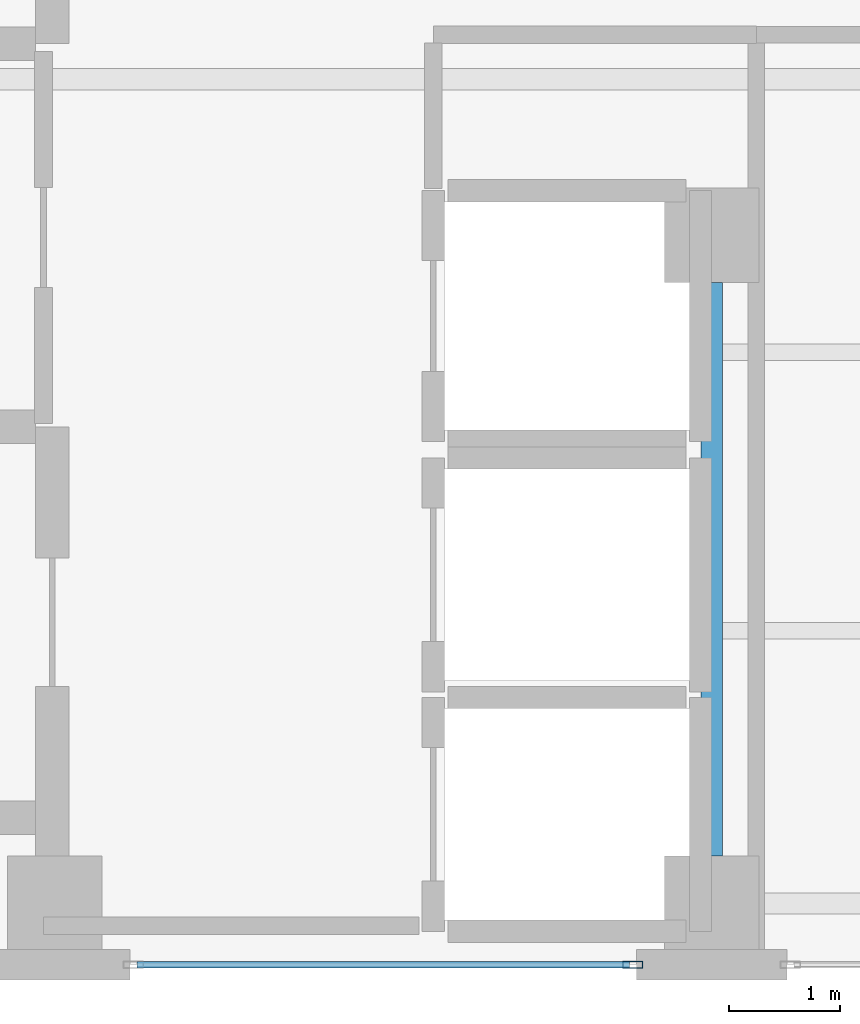
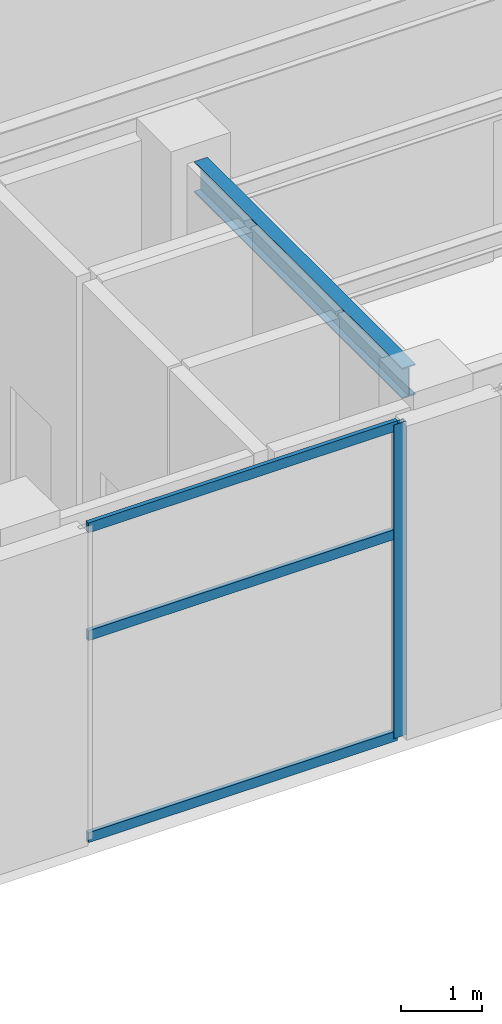
# One storey, part 3 of 18: 4 members, 1 beam, 1 element without a shape of its own.
"""IFC4 building model written with IfcOpenShell, lengths in metres."""

from ifc_helpers import new_model, si_unit, direction, frame, origin, origin_2d, place, context, subcontext, project, spatial, hollow_rectangle, i_section, extrude, material, layer, layer_set, material_profile, profile_set, type_object, element, aggregate, save


model = new_model("IFC4")

# Units and contexts
model_context = context("Model", 3, precision=1e-05, world=origin(), true_north=direction((0.0, 1.0)))
body_context = subcontext(model_context, "Body", "Model", "MODEL_VIEW")
ifc_project = project(units=[si_unit("LENGTHUNIT", "METRE"), si_unit("AREAUNIT", "SQUARE_METRE"), si_unit("VOLUMEUNIT", "CUBIC_METRE"), si_unit("PLANEANGLEUNIT", "RADIAN"), si_unit("MASSUNIT", "GRAM", prefix="KILO")], contexts=[model_context])

# Site, building, storey
site_placement = place(None, origin())
site = spatial("IfcSite", under=ifc_project, at=site_placement, CompositionType="ELEMENT")
building_placement = place(site_placement, origin())
building = spatial("IfcBuilding", under=site, at=building_placement, Name="Mawjaban Terraces University", CompositionType="ELEMENT")
storey_placement = place(building_placement, frame((0.0, 0.0, 316.699951171875)))
storey = spatial("IfcBuildingStorey", under=building, at=storey_placement, Name="L77", CompositionType="ELEMENT", Elevation=316.699951171875)

# Beam
ifc_material_1 = material(Name="Steel ASTM A572 Grade 50", Category="steel")
ifc_material_profile_1 = material_profile(ifc_material_1, i_section(OverallWidth=0.19189453125, OverallDepth=0.462890625, WebThickness=0.010498046875, FlangeThickness=0.017578125, at=origin_2d()), Name="W460X89")
ifc_profile_set_1 = profile_set([ifc_material_profile_1], Name="Steel ASTM A572 Grade 50")
beam_type = type_object("IfcBeamType", Name="Beam_B_W460X89", PredefinedType="BEAM", material=ifc_profile_set_1)
beam_placement = place(storey_placement, frame((37.64990234375, 0.97509765625, 4.509033203125), z_axis=(0.0, 1.0, 0.0), x_axis=(-1.0, 0.0, 0.0)))
element("IfcBeam", 1, at=beam_placement, inside=storey, type_object=beam_type, Name="L77 Beam BM-L77-NS-01", PredefinedType="BEAM", context=body_context, shape_type="SweptSolid", body=[
    extrude(i_section(OverallWidth=0.19189453125, OverallDepth=0.462890625, WebThickness=0.010498046875, FlangeThickness=0.017578125, at=origin_2d()), origin(), (0.0, 0.0, 1.0), 5.14990234375),
])

# Curtain wall, members
ifc_material_2 = material(Name="Anodised aluminium 6063-T6 and solar-control low-E glass", Category="aluminium")
ifc_layer = layer(ifc_material_2, 0.199951171875)
ifc_layer_set = layer_set([ifc_layer], Name="Anodised aluminium 6063-T6 and solar-control low-E glass")
curtain_wall_type = type_object("IfcCurtainWallType", Name="CWSystem_06_ObservationCrown", PredefinedType="NOTDEFINED", material=ifc_layer_set)
curtain_wall_placement = place(storey_placement, origin())
curtain_wall = element("IfcCurtainWall", 2, at=curtain_wall_placement, inside=storey, type_object=curtain_wall_type, Name="L77 Curtain Wall CW-06 Run 1.2", PredefinedType="NOTDEFINED")
ifc_material_3 = material(Name="Anodised aluminium 6063-T6", Category="aluminium")
ifc_material_profile_2 = material_profile(ifc_material_3, hollow_rectangle(XDim=0.06494140625, YDim=0.179931640625, WallThickness=0.00390625, at=origin_2d()), Name="ALU180X65X4")
ifc_profile_set_2 = profile_set([ifc_material_profile_2], Name="Anodised aluminium 6063-T6")
member_type_1 = type_object("IfcMemberType", Name="Mullion_CW-06", PredefinedType="MULLION", material=ifc_profile_set_2)
member_1_placement = place(storey_placement, frame((36.9423828125, 0.0, 0.0), z_axis=(0.0, 0.0, 1.0), x_axis=(0.0, 1.0, 0.0)))
member_1 = element("IfcMember", 3, at=member_1_placement, type_object=member_type_1, Name="CW-06 mullion 2", PredefinedType="MULLION", context=body_context, shape_type="SweptSolid", body=[
    extrude(hollow_rectangle(XDim=0.06494140625, YDim=0.179931640625, WallThickness=0.00390625, at=origin_2d()), origin(), (0.0, 0.0, 1.0), 4.739990234375),
])
ifc_material_profile_3 = material_profile(ifc_material_3, hollow_rectangle(XDim=0.06005859375, YDim=0.14990234375, WallThickness=0.00390625, at=origin_2d()), Name="ALU150X60X4")
ifc_profile_set_3 = profile_set([ifc_material_profile_3], Name="Anodised aluminium 6063-T6")
member_type_2 = type_object("IfcMemberType", Name="Transom_CW-06", PredefinedType="NOTDEFINED", material=ifc_profile_set_3)
member_2_placement = place(storey_placement, frame((32.489990234375, 0.0, 0.030029296875), z_axis=(1.0, 0.0, 0.0), x_axis=(0.0, 1.0, 0.0)))
member_2 = element("IfcMember", 4, at=member_2_placement, type_object=member_type_2, Name="CW-06 transom 1.1", ObjectType="TRANSOM", PredefinedType="USERDEFINED", context=body_context, shape_type="SweptSolid", body=[
    extrude(hollow_rectangle(XDim=0.06005859375, YDim=0.14990234375, WallThickness=0.00390625, at=origin_2d()), origin(), (0.0, 0.0, 1.0), 4.419921875),
])
member_3_placement = place(storey_placement, frame((32.489990234375, 0.0, 3.0810546875), z_axis=(1.0, 0.0, 0.0), x_axis=(0.0, 1.0, 0.0)))
member_3 = element("IfcMember", 5, at=member_3_placement, type_object=member_type_2, Name="CW-06 transom 1.2", ObjectType="TRANSOM", PredefinedType="USERDEFINED", context=body_context, shape_type="SweptSolid", body=[
    extrude(hollow_rectangle(XDim=0.06005859375, YDim=0.14990234375, WallThickness=0.00390625, at=origin_2d()), origin(), (0.0, 0.0, 1.0), 4.419921875),
])
member_4_placement = place(storey_placement, frame((32.489990234375, 0.0, 4.7099609375), z_axis=(1.0, 0.0, 0.0), x_axis=(0.0, 1.0, 0.0)))
member_4 = element("IfcMember", 6, at=member_4_placement, type_object=member_type_2, Name="CW-06 transom 1.3", ObjectType="TRANSOM", PredefinedType="USERDEFINED", context=body_context, shape_type="SweptSolid", body=[
    extrude(hollow_rectangle(XDim=0.06005859375, YDim=0.14990234375, WallThickness=0.00390625, at=origin_2d()), origin(), (0.0, 0.0, 1.0), 4.419921875),
])
aggregate(curtain_wall, [member_1, member_2, member_3, member_4])

save(model, "model.ifc")
